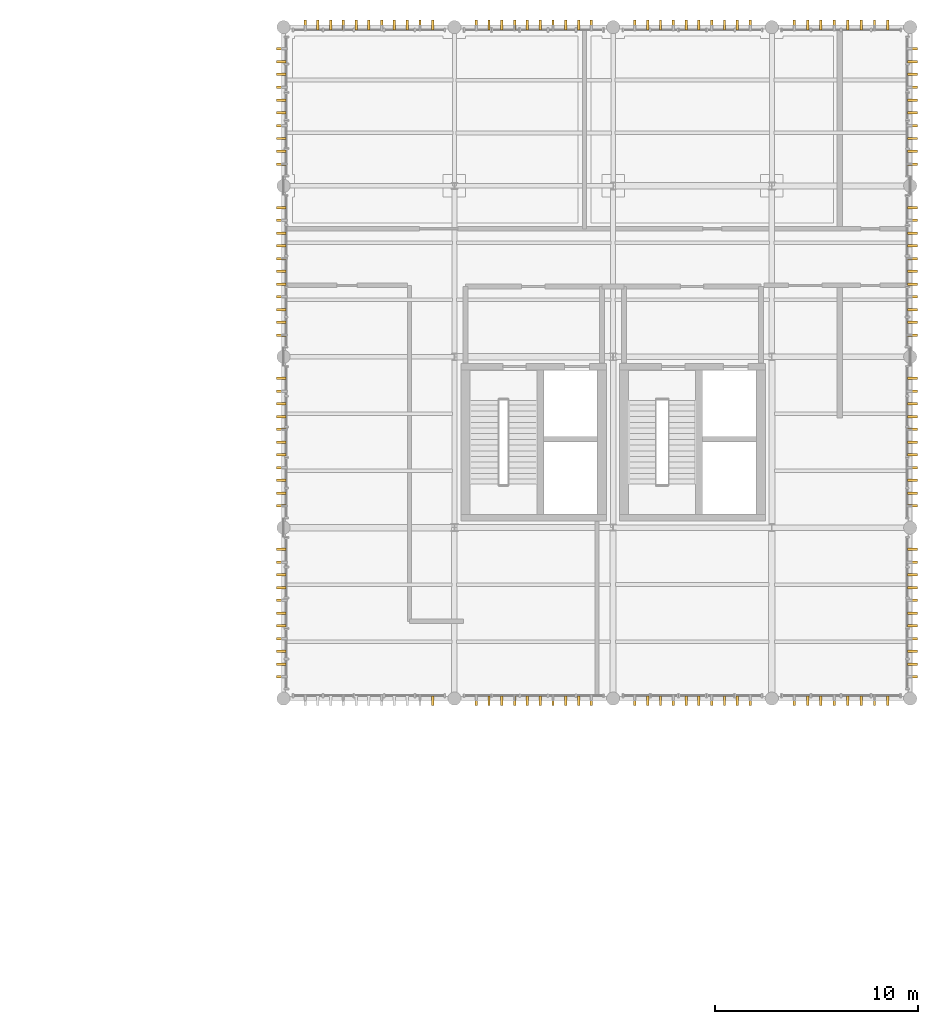
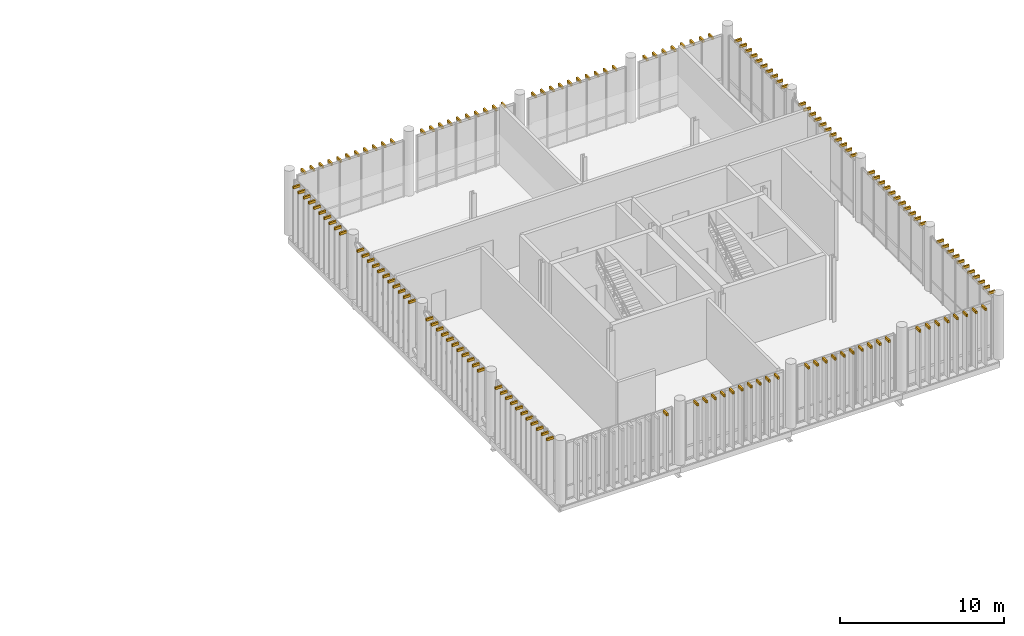
# One storey, part 86 of 86: 154 shading devices.
"""IFC4 building model written with IfcOpenShell, lengths in metres."""

from ifc_helpers import new_model, si_unit, direction, frame, origin_with_axes, origin_2d_with_axis, place, context, subcontext, project, spatial, rectangle, extrude, material, type_object, element, save


model = new_model("IFC4")

# Units and contexts
model_context = context("Model", 3, precision=1e-05, world=origin_with_axes(), true_north=direction((0.0, 1.0)))
body_context = subcontext(model_context, "Body", "Model", "MODEL_VIEW")
ifc_project = project(units=[si_unit("LENGTHUNIT", "METRE"), si_unit("AREAUNIT", "SQUARE_METRE"), si_unit("VOLUMEUNIT", "CUBIC_METRE"), si_unit("PLANEANGLEUNIT", "RADIAN"), si_unit("MASSUNIT", "GRAM", prefix="KILO"), si_unit("THERMODYNAMICTEMPERATUREUNIT", "KELVIN")], contexts=[model_context])

# Site, building, storey
site_placement = place(None, origin_with_axes())
site = spatial("IfcSite", under=ifc_project, at=site_placement, CompositionType="ELEMENT")
building_placement = place(site_placement, origin_with_axes())
building = spatial("IfcBuilding", under=site, at=building_placement, Name="Montbau Bow Law Courts", CompositionType="ELEMENT")
storey_placement = place(building_placement, frame((0.0, 0.0, 29.7), z_axis=(0.0, 0.0, 1.0), x_axis=(1.0, 0.0, 0.0)))
storey = spatial("IfcBuildingStorey", under=building, at=storey_placement, Name="L06", CompositionType="ELEMENT", Elevation=29.7)

# Shading devices
ifc_material = material(Name="Freeze-Thaw Glazed Slate-Grey Ceramic Vertical Louvre", Category="masonry")
shading_device_type = type_object("IfcShadingDeviceType", Name="SH-LVR-SLT", PredefinedType="USERDEFINED", material=ifc_material)
for number, where, z_axis, x_axis, name in (
    (1, (145.933, 77.89, 33.74), (0.0, 0.0, 1.0), (0.0, -1.0, 0.0), "LVR-L06-3076:shd_3076"),
    (2, (148.069, 77.89, 33.74), (0.0, 0.0, 1.0), (0.0, -1.0, 0.0), "LVR-L06-3077:shd_3077"),
    (3, (148.698, 77.89, 33.74), (0.0, 0.0, 1.0), (0.0, -1.0, 0.0), "LVR-L06-3078:shd_3078"),
    (4, (149.327, 77.89, 33.74), (0.0, 0.0, 1.0), (0.0, -1.0, 0.0), "LVR-L06-3079:shd_3079"),
    (5, (149.956, 77.89, 33.74), (0.0, 0.0, 1.0), (0.0, -1.0, 0.0), "LVR-L06-3080:shd_3080"),
    (6, (150.585, 77.89, 33.74), (0.0, 0.0, 1.0), (0.0, -1.0, 0.0), "LVR-L06-3081:shd_3081"),
    (7, (151.215, 77.89, 33.74), (0.0, 0.0, 1.0), (0.0, -1.0, 0.0), "LVR-L06-3082:shd_3082"),
    (8, (151.844, 77.89, 33.74), (0.0, 0.0, 1.0), (0.0, -1.0, 0.0), "LVR-L06-3083:shd_3083"),
    (9, (152.473, 77.89, 33.74), (0.0, 0.0, 1.0), (0.0, -1.0, 0.0), "LVR-L06-3084:shd_3084"),
    (10, (153.102, 77.89, 33.74), (0.0, 0.0, 1.0), (0.0, -1.0, 0.0), "LVR-L06-3085:shd_3085"),
    (11, (153.731, 77.89, 33.74), (0.0, 0.0, 1.0), (0.0, -1.0, 0.0), "LVR-L06-3086:shd_3086"),
    (12, (155.869, 77.89, 33.74), (0.0, 0.0, 1.0), (0.0, -1.0, 0.0), "LVR-L06-3087:shd_3087"),
    (13, (156.498, 77.89, 33.74), (0.0, 0.0, 1.0), (0.0, -1.0, 0.0), "LVR-L06-3088:shd_3088"),
    (14, (157.127, 77.89, 33.74), (0.0, 0.0, 1.0), (0.0, -1.0, 0.0), "LVR-L06-3089:shd_3089"),
    (15, (157.756, 77.89, 33.74), (0.0, 0.0, 1.0), (0.0, -1.0, 0.0), "LVR-L06-3090:shd_3090"),
    (16, (158.385, 77.89, 33.74), (0.0, 0.0, 1.0), (0.0, -1.0, 0.0), "LVR-L06-3091:shd_3091"),
    (17, (159.015, 77.89, 33.74), (0.0, 0.0, 1.0), (0.0, -1.0, 0.0), "LVR-L06-3092:shd_3092"),
    (18, (159.644, 77.89, 33.74), (0.0, 0.0, 1.0), (0.0, -1.0, 0.0), "LVR-L06-3093:shd_3093"),
    (19, (160.273, 77.89, 33.74), (0.0, 0.0, 1.0), (0.0, -1.0, 0.0), "LVR-L06-3094:shd_3094"),
    (20, (160.902, 77.89, 33.74), (0.0, 0.0, 1.0), (0.0, -1.0, 0.0), "LVR-L06-3095:shd_3095"),
    (21, (161.531, 77.89, 33.74), (0.0, 0.0, 1.0), (0.0, -1.0, 0.0), "LVR-L06-3096:shd_3096"),
    (22, (163.698, 77.89, 33.74), (0.0, 0.0, 1.0), (0.0, -1.0, 0.0), "LVR-L06-3097:shd_3097"),
    (23, (164.356, 77.89, 33.74), (0.0, 0.0, 1.0), (0.0, -1.0, 0.0), "LVR-L06-3098:shd_3098"),
    (24, (165.013, 77.89, 33.74), (0.0, 0.0, 1.0), (0.0, -1.0, 0.0), "LVR-L06-3099:shd_3099"),
    (25, (165.671, 77.89, 33.74), (0.0, 0.0, 1.0), (0.0, -1.0, 0.0), "LVR-L06-3100:shd_3100"),
    (26, (166.329, 77.89, 33.74), (0.0, 0.0, 1.0), (0.0, -1.0, 0.0), "LVR-L06-3101:shd_3101"),
    (27, (166.987, 77.89, 33.74), (0.0, 0.0, 1.0), (0.0, -1.0, 0.0), "LVR-L06-3102:shd_3102"),
    (28, (167.644, 77.89, 33.74), (0.0, 0.0, 1.0), (0.0, -1.0, 0.0), "LVR-L06-3103:shd_3103"),
    (29, (168.302, 77.89, 33.74), (0.0, 0.0, 1.0), (0.0, -1.0, 0.0), "LVR-L06-3104:shd_3104"),
    (30, (139.667, 111.11, 33.74), (0.0, 0.0, 1.0), (0.0, 1.0, 0.0), "LVR-L06-3105:shd_3105"),
    (31, (140.293, 111.11, 33.74), (0.0, 0.0, 1.0), (0.0, 1.0, 0.0), "LVR-L06-3106:shd_3106"),
    (32, (140.92, 111.11, 33.74), (0.0, 0.0, 1.0), (0.0, 1.0, 0.0), "LVR-L06-3107:shd_3107"),
    (33, (141.547, 111.11, 33.74), (0.0, 0.0, 1.0), (0.0, 1.0, 0.0), "LVR-L06-3108:shd_3108"),
    (34, (142.173, 111.11, 33.74), (0.0, 0.0, 1.0), (0.0, 1.0, 0.0), "LVR-L06-3109:shd_3109"),
    (35, (142.8, 111.11, 33.74), (0.0, 0.0, 1.0), (0.0, 1.0, 0.0), "LVR-L06-3110:shd_3110"),
    (36, (143.427, 111.11, 33.74), (0.0, 0.0, 1.0), (0.0, 1.0, 0.0), "LVR-L06-3111:shd_3111"),
    (37, (144.053, 111.11, 33.74), (0.0, 0.0, 1.0), (0.0, 1.0, 0.0), "LVR-L06-3112:shd_3112"),
    (38, (144.68, 111.11, 33.74), (0.0, 0.0, 1.0), (0.0, 1.0, 0.0), "LVR-L06-3113:shd_3113"),
    (39, (145.307, 111.11, 33.74), (0.0, 0.0, 1.0), (0.0, 1.0, 0.0), "LVR-L06-3114:shd_3114"),
    (40, (145.933, 111.11, 33.74), (0.0, 0.0, 1.0), (0.0, 1.0, 0.0), "LVR-L06-3115:shd_3115"),
    (41, (148.069, 111.11, 33.74), (0.0, 0.0, 1.0), (0.0, 1.0, 0.0), "LVR-L06-3116:shd_3116"),
    (42, (148.698, 111.11, 33.74), (0.0, 0.0, 1.0), (0.0, 1.0, 0.0), "LVR-L06-3117:shd_3117"),
    (43, (149.327, 111.11, 33.74), (0.0, 0.0, 1.0), (0.0, 1.0, 0.0), "LVR-L06-3118:shd_3118"),
    (44, (149.956, 111.11, 33.74), (0.0, 0.0, 1.0), (0.0, 1.0, 0.0), "LVR-L06-3119:shd_3119"),
    (45, (150.585, 111.11, 33.74), (0.0, 0.0, 1.0), (0.0, 1.0, 0.0), "LVR-L06-3120:shd_3120"),
    (46, (151.215, 111.11, 33.74), (0.0, 0.0, 1.0), (0.0, 1.0, 0.0), "LVR-L06-3121:shd_3121"),
    (47, (151.844, 111.11, 33.74), (0.0, 0.0, 1.0), (0.0, 1.0, 0.0), "LVR-L06-3122:shd_3122"),
    (48, (152.473, 111.11, 33.74), (0.0, 0.0, 1.0), (0.0, 1.0, 0.0), "LVR-L06-3123:shd_3123"),
    (49, (153.102, 111.11, 33.74), (0.0, 0.0, 1.0), (0.0, 1.0, 0.0), "LVR-L06-3124:shd_3124"),
    (50, (153.731, 111.11, 33.74), (0.0, 0.0, 1.0), (0.0, 1.0, 0.0), "LVR-L06-3125:shd_3125"),
    (51, (155.869, 111.11, 33.74), (0.0, 0.0, 1.0), (0.0, 1.0, 0.0), "LVR-L06-3126:shd_3126"),
    (52, (156.498, 111.11, 33.74), (0.0, 0.0, 1.0), (0.0, 1.0, 0.0), "LVR-L06-3127:shd_3127"),
    (53, (157.127, 111.11, 33.74), (0.0, 0.0, 1.0), (0.0, 1.0, 0.0), "LVR-L06-3128:shd_3128"),
    (54, (157.756, 111.11, 33.74), (0.0, 0.0, 1.0), (0.0, 1.0, 0.0), "LVR-L06-3129:shd_3129"),
    (55, (158.385, 111.11, 33.74), (0.0, 0.0, 1.0), (0.0, 1.0, 0.0), "LVR-L06-3130:shd_3130"),
    (56, (159.015, 111.11, 33.74), (0.0, 0.0, 1.0), (0.0, 1.0, 0.0), "LVR-L06-3131:shd_3131"),
    (57, (159.644, 111.11, 33.74), (0.0, 0.0, 1.0), (0.0, 1.0, 0.0), "LVR-L06-3132:shd_3132"),
    (58, (160.273, 111.11, 33.74), (0.0, 0.0, 1.0), (0.0, 1.0, 0.0), "LVR-L06-3133:shd_3133"),
    (59, (160.902, 111.11, 33.74), (0.0, 0.0, 1.0), (0.0, 1.0, 0.0), "LVR-L06-3134:shd_3134"),
    (60, (161.531, 111.11, 33.74), (0.0, 0.0, 1.0), (0.0, 1.0, 0.0), "LVR-L06-3135:shd_3135"),
    (61, (163.698, 111.11, 33.74), (0.0, 0.0, 1.0), (0.0, 1.0, 0.0), "LVR-L06-3136:shd_3136"),
    (62, (164.356, 111.11, 33.74), (0.0, 0.0, 1.0), (0.0, 1.0, 0.0), "LVR-L06-3137:shd_3137"),
    (63, (165.013, 111.11, 33.74), (0.0, 0.0, 1.0), (0.0, 1.0, 0.0), "LVR-L06-3138:shd_3138"),
    (64, (165.671, 111.11, 33.74), (0.0, 0.0, 1.0), (0.0, 1.0, 0.0), "LVR-L06-3139:shd_3139"),
    (65, (166.329, 111.11, 33.74), (0.0, 0.0, 1.0), (0.0, 1.0, 0.0), "LVR-L06-3140:shd_3140"),
    (66, (166.987, 111.11, 33.74), (0.0, 0.0, 1.0), (0.0, 1.0, 0.0), "LVR-L06-3141:shd_3141"),
    (67, (167.644, 111.11, 33.74), (0.0, 0.0, 1.0), (0.0, 1.0, 0.0), "LVR-L06-3142:shd_3142"),
    (68, (168.302, 111.11, 33.74), (0.0, 0.0, 1.0), (0.0, 1.0, 0.0), "LVR-L06-3143:shd_3143"),
    (69, (138.49, 79.067, 33.74), (0.0, 0.0, 1.0), (-1.0, 0.0, 0.0), "LVR-L06-3144:shd_3144"),
    (70, (138.49, 79.693, 33.74), (0.0, 0.0, 1.0), (-1.0, 0.0, 0.0), "LVR-L06-3145:shd_3145"),
    (71, (138.49, 80.32, 33.74), (0.0, 0.0, 1.0), (-1.0, 0.0, 0.0), "LVR-L06-3146:shd_3146"),
    (72, (138.49, 80.947, 33.74), (0.0, 0.0, 1.0), (-1.0, 0.0, 0.0), "LVR-L06-3147:shd_3147"),
    (73, (138.49, 81.573, 33.74), (0.0, 0.0, 1.0), (-1.0, 0.0, 0.0), "LVR-L06-3148:shd_3148"),
    (74, (138.49, 82.2, 33.74), (0.0, 0.0, 1.0), (-1.0, 0.0, 0.0), "LVR-L06-3149:shd_3149"),
    (75, (138.49, 82.827, 33.74), (0.0, 0.0, 1.0), (-1.0, 0.0, 0.0), "LVR-L06-3150:shd_3150"),
    (76, (138.49, 83.453, 33.74), (0.0, 0.0, 1.0), (-1.0, 0.0, 0.0), "LVR-L06-3151:shd_3151"),
    (77, (138.49, 84.08, 33.74), (0.0, 0.0, 1.0), (-1.0, 0.0, 0.0), "LVR-L06-3152:shd_3152"),
    (78, (138.49, 84.707, 33.74), (0.0, 0.0, 1.0), (-1.0, 0.0, 0.0), "LVR-L06-3153:shd_3153"),
    (79, (138.49, 85.333, 33.74), (0.0, 0.0, 1.0), (-1.0, 0.0, 0.0), "LVR-L06-3154:shd_3154"),
    (80, (138.49, 87.467, 33.74), (0.0, 0.0, 1.0), (-1.0, 0.0, 0.0), "LVR-L06-3155:shd_3155"),
    (81, (138.49, 88.093, 33.74), (0.0, 0.0, 1.0), (-1.0, 0.0, 0.0), "LVR-L06-3156:shd_3156"),
    (82, (138.49, 88.72, 33.74), (0.0, 0.0, 1.0), (-1.0, 0.0, 0.0), "LVR-L06-3157:shd_3157"),
    (83, (138.49, 89.347, 33.74), (0.0, 0.0, 1.0), (-1.0, 0.0, 0.0), "LVR-L06-3158:shd_3158"),
    (84, (138.49, 89.973, 33.74), (0.0, 0.0, 1.0), (-1.0, 0.0, 0.0), "LVR-L06-3159:shd_3159"),
    (85, (138.49, 90.6, 33.74), (0.0, 0.0, 1.0), (-1.0, 0.0, 0.0), "LVR-L06-3160:shd_3160"),
    (86, (138.49, 91.227, 33.74), (0.0, 0.0, 1.0), (-1.0, 0.0, 0.0), "LVR-L06-3161:shd_3161"),
    (87, (138.49, 91.853, 33.74), (0.0, 0.0, 1.0), (-1.0, 0.0, 0.0), "LVR-L06-3162:shd_3162"),
    (88, (138.49, 92.48, 33.74), (0.0, 0.0, 1.0), (-1.0, 0.0, 0.0), "LVR-L06-3163:shd_3163"),
    (89, (138.49, 93.107, 33.74), (0.0, 0.0, 1.0), (-1.0, 0.0, 0.0), "LVR-L06-3164:shd_3164"),
    (90, (138.49, 93.733, 33.74), (0.0, 0.0, 1.0), (-1.0, 0.0, 0.0), "LVR-L06-3165:shd_3165"),
    (91, (138.49, 95.867, 33.74), (0.0, 0.0, 1.0), (-1.0, 0.0, 0.0), "LVR-L06-3166:shd_3166"),
    (92, (138.49, 96.493, 33.74), (0.0, 0.0, 1.0), (-1.0, 0.0, 0.0), "LVR-L06-3167:shd_3167"),
    (93, (138.49, 97.12, 33.74), (0.0, 0.0, 1.0), (-1.0, 0.0, 0.0), "LVR-L06-3168:shd_3168"),
    (94, (138.49, 97.747, 33.74), (0.0, 0.0, 1.0), (-1.0, 0.0, 0.0), "LVR-L06-3169:shd_3169"),
    (95, (138.49, 98.373, 33.74), (0.0, 0.0, 1.0), (-1.0, 0.0, 0.0), "LVR-L06-3170:shd_3170"),
    (96, (138.49, 99.0, 33.74), (0.0, 0.0, 1.0), (-1.0, 0.0, 0.0), "LVR-L06-3171:shd_3171"),
    (97, (138.49, 99.627, 33.74), (0.0, 0.0, 1.0), (-1.0, 0.0, 0.0), "LVR-L06-3172:shd_3172"),
    (98, (138.49, 100.253, 33.74), (0.0, 0.0, 1.0), (-1.0, 0.0, 0.0), "LVR-L06-3173:shd_3173"),
    (99, (138.49, 100.88, 33.74), (0.0, 0.0, 1.0), (-1.0, 0.0, 0.0), "LVR-L06-3174:shd_3174"),
    (100, (138.49, 101.507, 33.74), (0.0, 0.0, 1.0), (-1.0, 0.0, 0.0), "LVR-L06-3175:shd_3175"),
    (101, (138.49, 102.133, 33.74), (0.0, 0.0, 1.0), (-1.0, 0.0, 0.0), "LVR-L06-3176:shd_3176"),
    (102, (138.49, 104.269, 33.74), (0.0, 0.0, 1.0), (-1.0, 0.0, 0.0), "LVR-L06-3177:shd_3177"),
    (103, (138.49, 104.898, 33.74), (0.0, 0.0, 1.0), (-1.0, 0.0, 0.0), "LVR-L06-3178:shd_3178"),
    (104, (138.49, 105.527, 33.74), (0.0, 0.0, 1.0), (-1.0, 0.0, 0.0), "LVR-L06-3179:shd_3179"),
    (105, (138.49, 106.156, 33.74), (0.0, 0.0, 1.0), (-1.0, 0.0, 0.0), "LVR-L06-3180:shd_3180"),
    (106, (138.49, 106.785, 33.74), (0.0, 0.0, 1.0), (-1.0, 0.0, 0.0), "LVR-L06-3181:shd_3181"),
    (107, (138.49, 107.415, 33.74), (0.0, 0.0, 1.0), (-1.0, 0.0, 0.0), "LVR-L06-3182:shd_3182"),
    (108, (138.49, 108.044, 33.74), (0.0, 0.0, 1.0), (-1.0, 0.0, 0.0), "LVR-L06-3183:shd_3183"),
    (109, (138.49, 108.673, 33.74), (0.0, 0.0, 1.0), (-1.0, 0.0, 0.0), "LVR-L06-3184:shd_3184"),
    (110, (138.49, 109.302, 33.74), (0.0, 0.0, 1.0), (-1.0, 0.0, 0.0), "LVR-L06-3185:shd_3185"),
    (111, (138.49, 109.931, 33.74), (0.0, 0.0, 1.0), (-1.0, 0.0, 0.0), "LVR-L06-3186:shd_3186"),
    (112, (169.51, 79.067, 33.74), (0.0, 0.0, 1.0), (1.0, 0.0, 0.0), "LVR-L06-3187:shd_3187"),
    (113, (169.51, 79.693, 33.74), (0.0, 0.0, 1.0), (1.0, 0.0, 0.0), "LVR-L06-3188:shd_3188"),
    (114, (169.51, 80.32, 33.74), (0.0, 0.0, 1.0), (1.0, 0.0, 0.0), "LVR-L06-3189:shd_3189"),
    (115, (169.51, 80.947, 33.74), (0.0, 0.0, 1.0), (1.0, 0.0, 0.0), "LVR-L06-3190:shd_3190"),
    (116, (169.51, 81.573, 33.74), (0.0, 0.0, 1.0), (1.0, 0.0, 0.0), "LVR-L06-3191:shd_3191"),
    (117, (169.51, 82.2, 33.74), (0.0, 0.0, 1.0), (1.0, 0.0, 0.0), "LVR-L06-3192:shd_3192"),
    (118, (169.51, 82.827, 33.74), (0.0, 0.0, 1.0), (1.0, 0.0, 0.0), "LVR-L06-3193:shd_3193"),
    (119, (169.51, 83.453, 33.74), (0.0, 0.0, 1.0), (1.0, 0.0, 0.0), "LVR-L06-3194:shd_3194"),
    (120, (169.51, 84.08, 33.74), (0.0, 0.0, 1.0), (1.0, 0.0, 0.0), "LVR-L06-3195:shd_3195"),
    (121, (169.51, 84.707, 33.74), (0.0, 0.0, 1.0), (1.0, 0.0, 0.0), "LVR-L06-3196:shd_3196"),
    (122, (169.51, 85.333, 33.74), (0.0, 0.0, 1.0), (1.0, 0.0, 0.0), "LVR-L06-3197:shd_3197"),
    (123, (169.51, 87.467, 33.74), (0.0, 0.0, 1.0), (1.0, 0.0, 0.0), "LVR-L06-3198:shd_3198"),
    (124, (169.51, 88.093, 33.74), (0.0, 0.0, 1.0), (1.0, 0.0, 0.0), "LVR-L06-3199:shd_3199"),
    (125, (169.51, 88.72, 33.74), (0.0, 0.0, 1.0), (1.0, 0.0, 0.0), "LVR-L06-3200:shd_3200"),
    (126, (169.51, 89.347, 33.74), (0.0, 0.0, 1.0), (1.0, 0.0, 0.0), "LVR-L06-3201:shd_3201"),
    (127, (169.51, 89.973, 33.74), (0.0, 0.0, 1.0), (1.0, 0.0, 0.0), "LVR-L06-3202:shd_3202"),
    (128, (169.51, 90.6, 33.74), (0.0, 0.0, 1.0), (1.0, 0.0, 0.0), "LVR-L06-3203:shd_3203"),
    (129, (169.51, 91.227, 33.74), (0.0, 0.0, 1.0), (1.0, 0.0, 0.0), "LVR-L06-3204:shd_3204"),
    (130, (169.51, 91.853, 33.74), (0.0, 0.0, 1.0), (1.0, 0.0, 0.0), "LVR-L06-3205:shd_3205"),
    (131, (169.51, 92.48, 33.74), (0.0, 0.0, 1.0), (1.0, 0.0, 0.0), "LVR-L06-3206:shd_3206"),
    (132, (169.51, 93.107, 33.74), (0.0, 0.0, 1.0), (1.0, 0.0, 0.0), "LVR-L06-3207:shd_3207"),
    (133, (169.51, 93.733, 33.74), (0.0, 0.0, 1.0), (1.0, 0.0, 0.0), "LVR-L06-3208:shd_3208"),
    (134, (169.51, 95.867, 33.74), (0.0, 0.0, 1.0), (1.0, 0.0, 0.0), "LVR-L06-3209:shd_3209"),
    (135, (169.51, 96.493, 33.74), (0.0, 0.0, 1.0), (1.0, 0.0, 0.0), "LVR-L06-3210:shd_3210"),
    (136, (169.51, 97.12, 33.74), (0.0, 0.0, 1.0), (1.0, 0.0, 0.0), "LVR-L06-3211:shd_3211"),
    (137, (169.51, 97.747, 33.74), (0.0, 0.0, 1.0), (1.0, 0.0, 0.0), "LVR-L06-3212:shd_3212"),
    (138, (169.51, 98.373, 33.74), (0.0, 0.0, 1.0), (1.0, 0.0, 0.0), "LVR-L06-3213:shd_3213"),
    (139, (169.51, 99.0, 33.74), (0.0, 0.0, 1.0), (1.0, 0.0, 0.0), "LVR-L06-3214:shd_3214"),
    (140, (169.51, 99.627, 33.74), (0.0, 0.0, 1.0), (1.0, 0.0, 0.0), "LVR-L06-3215:shd_3215"),
    (141, (169.51, 100.253, 33.74), (0.0, 0.0, 1.0), (1.0, 0.0, 0.0), "LVR-L06-3216:shd_3216"),
    (142, (169.51, 100.88, 33.74), (0.0, 0.0, 1.0), (1.0, 0.0, 0.0), "LVR-L06-3217:shd_3217"),
    (143, (169.51, 101.507, 33.74), (0.0, 0.0, 1.0), (1.0, 0.0, 0.0), "LVR-L06-3218:shd_3218"),
    (144, (169.51, 102.133, 33.74), (0.0, 0.0, 1.0), (1.0, 0.0, 0.0), "LVR-L06-3219:shd_3219"),
    (145, (169.51, 104.269, 33.74), (0.0, 0.0, 1.0), (1.0, 0.0, 0.0), "LVR-L06-3220:shd_3220"),
    (146, (169.51, 104.898, 33.74), (0.0, 0.0, 1.0), (1.0, 0.0, 0.0), "LVR-L06-3221:shd_3221"),
    (147, (169.51, 105.527, 33.74), (0.0, 0.0, 1.0), (1.0, 0.0, 0.0), "LVR-L06-3222:shd_3222"),
    (148, (169.51, 106.156, 33.74), (0.0, 0.0, 1.0), (1.0, 0.0, 0.0), "LVR-L06-3223:shd_3223"),
    (149, (169.51, 106.785, 33.74), (0.0, 0.0, 1.0), (1.0, 0.0, 0.0), "LVR-L06-3224:shd_3224"),
    (150, (169.51, 107.415, 33.74), (0.0, 0.0, 1.0), (1.0, 0.0, 0.0), "LVR-L06-3225:shd_3225"),
    (151, (169.51, 108.044, 33.74), (0.0, 0.0, 1.0), (1.0, 0.0, 0.0), "LVR-L06-3226:shd_3226"),
    (152, (169.51, 108.673, 33.74), (0.0, 0.0, 1.0), (1.0, 0.0, 0.0), "LVR-L06-3227:shd_3227"),
    (153, (169.51, 109.302, 33.74), (0.0, 0.0, 1.0), (1.0, 0.0, 0.0), "LVR-L06-3228:shd_3228"),
    (154, (169.51, 109.931, 33.74), (0.0, 0.0, 1.0), (1.0, 0.0, 0.0), "LVR-L06-3229:shd_3229"),
):
    element("IfcShadingDevice", number, at=place(None, frame(where, z_axis=z_axis, x_axis=x_axis)), inside=storey, type_object=shading_device_type, Name=name, ObjectType="LOUVRE", PredefinedType="USERDEFINED", context=body_context, shape_type="SweptSolid", body=[
        extrude(rectangle(XDim=0.48, YDim=0.12, at=origin_2d_with_axis()), origin_with_axes(), (0.0, 0.0, 1.0), 0.18),
    ])

save(model, "model.ifc")
